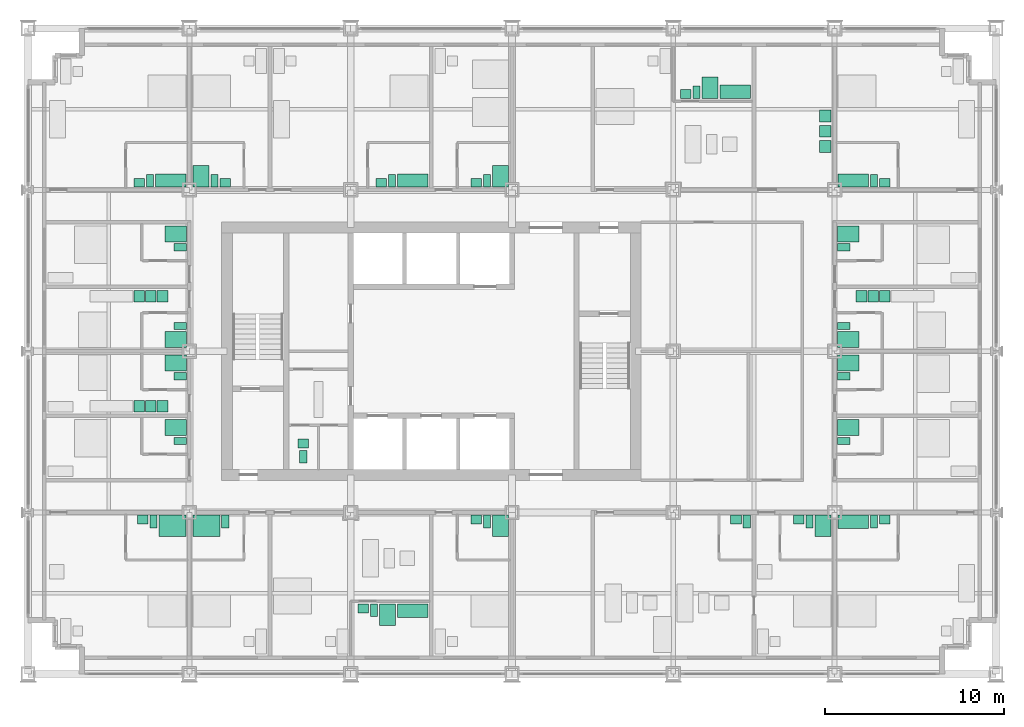
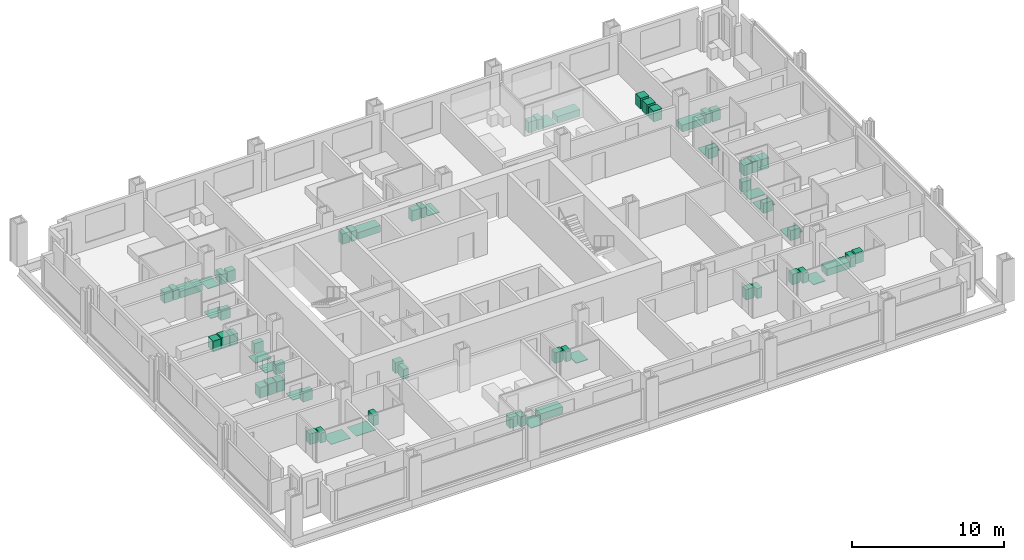
# One storey, part 17 of 18: 57 sanitary terminals, 12 electric appliances.
"""IFC4 building model written with IfcOpenShell, lengths in metres."""

from ifc_helpers import new_model, si_unit, direction, frame, origin, origin_2d, place, context, subcontext, project, spatial, rectangle, extrude, element, save


model = new_model("IFC4")

# Units and contexts
model_context = context("Model", 3, precision=1e-05, world=origin(), true_north=direction((0.0, 1.0)))
body_context = subcontext(model_context, "Body", "Model", "MODEL_VIEW")
ifc_project = project(units=[si_unit("LENGTHUNIT", "METRE"), si_unit("AREAUNIT", "SQUARE_METRE"), si_unit("VOLUMEUNIT", "CUBIC_METRE"), si_unit("PLANEANGLEUNIT", "RADIAN"), si_unit("MASSUNIT", "GRAM", prefix="KILO")], contexts=[model_context])

# Site, building, storey
site_placement = place(None, origin())
site = spatial("IfcSite", under=ifc_project, at=site_placement, CompositionType="ELEMENT")
building_placement = place(site_placement, origin())
building = spatial("IfcBuilding", under=site, at=building_placement, Name="Loomwork Tower", CompositionType="ELEMENT")
storey_placement = place(building_placement, frame((0.0, 0.0, 51.800048828125)))
storey = spatial("IfcBuildingStorey", under=building, at=storey_placement, Name="L12", CompositionType="ELEMENT", Elevation=51.800048828125)

# Sanitary terminals
sanitary_terminal_1_placement = place(storey_placement, frame((8.050048828125, 8.25, 0.0), z_axis=(0.0, 0.0, 1.0), x_axis=(1.0, 0.0, 0.0)))
element("IfcSanitaryTerminal", 1, at=sanitary_terminal_1_placement, inside=storey, Name="Roll-in shower floor L12", PredefinedType="SHOWER", context=body_context, shape_type="SweptSolid", body=[
    extrude(rectangle(XDim=1.5, YDim=1.199951171875, at=origin_2d()), origin(), (0.0, 0.0, 1.0), 0.030029296875),
])
sanitary_terminal_2_placement = place(storey_placement, frame((7.0, 8.5, 0.0), z_axis=(0.0, 0.0, 1.0), x_axis=(1.0, 0.0, 0.0)))
element("IfcSanitaryTerminal", 2, at=sanitary_terminal_2_placement, inside=storey, Name="WC L12", PredefinedType="TOILETPAN", context=body_context, shape_type="SweptSolid", body=[
    extrude(rectangle(XDim=0.39990234375, YDim=0.699951171875, at=origin_2d()), origin(), (0.0, 0.0, 1.0), 0.800048828125),
])
sanitary_terminal_3_placement = place(storey_placement, frame((6.39990234375, 8.60009765625, 0.0), z_axis=(0.0, 0.0, 1.0), x_axis=(1.0, 0.0, 0.0)))
element("IfcSanitaryTerminal", 3, at=sanitary_terminal_3_placement, inside=storey, Name="Basin vanity L12", PredefinedType="WASHHANDBASIN", context=body_context, shape_type="SweptSolid", body=[
    extrude(rectangle(XDim=0.60009765625, YDim=0.5, at=origin_2d()), origin(), (0.0, 0.0, 1.0), 0.85009765625),
])
sanitary_terminal_4_placement = place(storey_placement, frame((9.949951171875, 8.25, 0.0), z_axis=(0.0, 0.0, 1.0), x_axis=(1.0, 0.0, 0.0)))
element("IfcSanitaryTerminal", 4, at=sanitary_terminal_4_placement, inside=storey, Name="Roll-in shower floor L12", PredefinedType="SHOWER", context=body_context, shape_type="SweptSolid", body=[
    extrude(rectangle(XDim=1.5, YDim=1.199951171875, at=origin_2d()), origin(), (0.0, 0.0, 1.0), 0.030029296875),
])
sanitary_terminal_5_placement = place(storey_placement, frame((11.0, 8.5, 0.0), z_axis=(0.0, 0.0, 1.0), x_axis=(1.0, 0.0, 0.0)))
element("IfcSanitaryTerminal", 5, at=sanitary_terminal_5_placement, inside=storey, Name="WC L12", PredefinedType="TOILETPAN", context=body_context, shape_type="SweptSolid", body=[
    extrude(rectangle(XDim=0.39990234375, YDim=0.699951171875, at=origin_2d()), origin(), (0.0, 0.0, 1.0), 0.800048828125),
])
sanitary_terminal_6_placement = place(storey_placement, frame((21.449951171875, 3.52490234375, 0.0), z_axis=(0.0, 0.0, 1.0), x_axis=(1.0, 0.0, 0.0)))
element("IfcSanitaryTerminal", 6, at=sanitary_terminal_6_placement, inside=storey, Name="Bath L12", PredefinedType="BATH", context=body_context, shape_type="SweptSolid", body=[
    extrude(rectangle(XDim=1.699951171875, YDim=0.75, at=origin_2d()), origin(), (0.0, 0.0, 1.0), 0.550048828125),
])
sanitary_terminal_7_placement = place(storey_placement, frame((20.050048828125, 3.300048828125, 0.0), z_axis=(0.0, 0.0, 1.0), x_axis=(1.0, 0.0, 0.0)))
element("IfcSanitaryTerminal", 7, at=sanitary_terminal_7_placement, inside=storey, Name="Shower tray L12", PredefinedType="SHOWER", context=body_context, shape_type="SweptSolid", body=[
    extrude(rectangle(XDim=0.89990234375, YDim=1.199951171875, at=origin_2d()), origin(), (0.0, 0.0, 1.0), 0.050048828125),
])
sanitary_terminal_8_placement = place(storey_placement, frame((19.300048828125, 3.550048828125, 0.0), z_axis=(0.0, 0.0, 1.0), x_axis=(1.0, 0.0, 0.0)))
element("IfcSanitaryTerminal", 8, at=sanitary_terminal_8_placement, inside=storey, Name="WC L12", PredefinedType="TOILETPAN", context=body_context, shape_type="SweptSolid", body=[
    extrude(rectangle(XDim=0.39990234375, YDim=0.699951171875, at=origin_2d()), origin(), (0.0, 0.0, 1.0), 0.800048828125),
])
sanitary_terminal_9_placement = place(storey_placement, frame((18.699951171875, 3.64990234375, 0.0), z_axis=(0.0, 0.0, 1.0), x_axis=(1.0, 0.0, 0.0)))
element("IfcSanitaryTerminal", 9, at=sanitary_terminal_9_placement, inside=storey, Name="Basin vanity L12", PredefinedType="WASHHANDBASIN", context=body_context, shape_type="SweptSolid", body=[
    extrude(rectangle(XDim=0.60009765625, YDim=0.5, at=origin_2d()), origin(), (0.0, 0.0, 1.0), 0.85009765625),
])
sanitary_terminal_10_placement = place(storey_placement, frame((26.35009765625, 8.25, 0.0), z_axis=(0.0, 0.0, 1.0), x_axis=(1.0, 0.0, 0.0)))
element("IfcSanitaryTerminal", 10, at=sanitary_terminal_10_placement, inside=storey, Name="Shower tray L12", PredefinedType="SHOWER", context=body_context, shape_type="SweptSolid", body=[
    extrude(rectangle(XDim=0.89990234375, YDim=1.199951171875, at=origin_2d()), origin(), (0.0, 0.0, 1.0), 0.050048828125),
])
sanitary_terminal_11_placement = place(storey_placement, frame((25.60009765625, 8.5, 0.0), z_axis=(0.0, 0.0, 1.0), x_axis=(1.0, 0.0, 0.0)))
element("IfcSanitaryTerminal", 11, at=sanitary_terminal_11_placement, inside=storey, Name="WC L12", PredefinedType="TOILETPAN", context=body_context, shape_type="SweptSolid", body=[
    extrude(rectangle(XDim=0.39990234375, YDim=0.699951171875, at=origin_2d()), origin(), (0.0, 0.0, 1.0), 0.800048828125),
])
sanitary_terminal_12_placement = place(storey_placement, frame((25.0, 8.60009765625, 0.0), z_axis=(0.0, 0.0, 1.0), x_axis=(1.0, 0.0, 0.0)))
element("IfcSanitaryTerminal", 12, at=sanitary_terminal_12_placement, inside=storey, Name="Basin vanity L12", PredefinedType="WASHHANDBASIN", context=body_context, shape_type="SweptSolid", body=[
    extrude(rectangle(XDim=0.60009765625, YDim=0.5, at=origin_2d()), origin(), (0.0, 0.0, 1.0), 0.85009765625),
])
sanitary_terminal_13_placement = place(storey_placement, frame((40.10009765625, 8.5, 0.0), z_axis=(0.0, 0.0, 1.0), x_axis=(1.0, 0.0, 0.0)))
element("IfcSanitaryTerminal", 13, at=sanitary_terminal_13_placement, inside=storey, Name="WC L12", PredefinedType="TOILETPAN", context=body_context, shape_type="SweptSolid", body=[
    extrude(rectangle(XDim=0.39990234375, YDim=0.699951171875, at=origin_2d()), origin(), (0.0, 0.0, 1.0), 0.800048828125),
])
sanitary_terminal_14_placement = place(storey_placement, frame((39.5, 8.60009765625, 0.0), z_axis=(0.0, 0.0, 1.0), x_axis=(1.0, 0.0, 0.0)))
element("IfcSanitaryTerminal", 14, at=sanitary_terminal_14_placement, inside=storey, Name="Basin vanity L12", PredefinedType="WASHHANDBASIN", context=body_context, shape_type="SweptSolid", body=[
    extrude(rectangle(XDim=0.60009765625, YDim=0.5, at=origin_2d()), origin(), (0.0, 0.0, 1.0), 0.85009765625),
])
sanitary_terminal_15_placement = place(storey_placement, frame((44.35009765625, 8.25, 0.0), z_axis=(0.0, 0.0, 1.0), x_axis=(1.0, 0.0, 0.0)))
element("IfcSanitaryTerminal", 15, at=sanitary_terminal_15_placement, inside=storey, Name="Shower tray L12", PredefinedType="SHOWER", context=body_context, shape_type="SweptSolid", body=[
    extrude(rectangle(XDim=0.89990234375, YDim=1.199951171875, at=origin_2d()), origin(), (0.0, 0.0, 1.0), 0.050048828125),
])
sanitary_terminal_16_placement = place(storey_placement, frame((43.60009765625, 8.5, 0.0), z_axis=(0.0, 0.0, 1.0), x_axis=(1.0, 0.0, 0.0)))
element("IfcSanitaryTerminal", 16, at=sanitary_terminal_16_placement, inside=storey, Name="WC L12", PredefinedType="TOILETPAN", context=body_context, shape_type="SweptSolid", body=[
    extrude(rectangle(XDim=0.39990234375, YDim=0.699951171875, at=origin_2d()), origin(), (0.0, 0.0, 1.0), 0.800048828125),
])
sanitary_terminal_17_placement = place(storey_placement, frame((43.0, 8.60009765625, 0.0), z_axis=(0.0, 0.0, 1.0), x_axis=(1.0, 0.0, 0.0)))
element("IfcSanitaryTerminal", 17, at=sanitary_terminal_17_placement, inside=storey, Name="Basin vanity L12", PredefinedType="WASHHANDBASIN", context=body_context, shape_type="SweptSolid", body=[
    extrude(rectangle(XDim=0.60009765625, YDim=0.5, at=origin_2d()), origin(), (0.0, 0.0, 1.0), 0.85009765625),
])
sanitary_terminal_18_placement = place(storey_placement, frame((46.050048828125, 8.47509765625, 0.0), z_axis=(0.0, 0.0, 1.0), x_axis=(1.0, 0.0, 0.0)))
element("IfcSanitaryTerminal", 18, at=sanitary_terminal_18_placement, inside=storey, Name="Bath L12", PredefinedType="BATH", context=body_context, shape_type="SweptSolid", body=[
    extrude(rectangle(XDim=1.699951171875, YDim=0.75, at=origin_2d()), origin(), (0.0, 0.0, 1.0), 0.550048828125),
])
sanitary_terminal_19_placement = place(storey_placement, frame((47.199951171875, 8.5, 0.0), z_axis=(0.0, 0.0, 1.0), x_axis=(1.0, 0.0, 0.0)))
element("IfcSanitaryTerminal", 19, at=sanitary_terminal_19_placement, inside=storey, Name="WC L12", PredefinedType="TOILETPAN", context=body_context, shape_type="SweptSolid", body=[
    extrude(rectangle(XDim=0.39990234375, YDim=0.699951171875, at=origin_2d()), origin(), (0.0, 0.0, 1.0), 0.800048828125),
])
sanitary_terminal_20_placement = place(storey_placement, frame((47.800048828125, 8.60009765625, 0.0), z_axis=(0.0, 0.0, 1.0), x_axis=(1.0, 0.0, 0.0)))
element("IfcSanitaryTerminal", 20, at=sanitary_terminal_20_placement, inside=storey, Name="Basin vanity L12", PredefinedType="WASHHANDBASIN", context=body_context, shape_type="SweptSolid", body=[
    extrude(rectangle(XDim=0.60009765625, YDim=0.5, at=origin_2d()), origin(), (0.0, 0.0, 1.0), 0.85009765625),
])
sanitary_terminal_21_placement = place(storey_placement, frame((7.949951171875, 27.52490234375, 0.0), z_axis=(0.0, 0.0, 1.0), x_axis=(1.0, 0.0, 0.0)))
element("IfcSanitaryTerminal", 21, at=sanitary_terminal_21_placement, inside=storey, Name="Bath L12", PredefinedType="BATH", context=body_context, shape_type="SweptSolid", body=[
    extrude(rectangle(XDim=1.699951171875, YDim=0.75, at=origin_2d()), origin(), (0.0, 0.0, 1.0), 0.550048828125),
])
sanitary_terminal_22_placement = place(storey_placement, frame((6.800048828125, 27.5, 0.0), z_axis=(0.0, 0.0, 1.0), x_axis=(1.0, 0.0, 0.0)))
element("IfcSanitaryTerminal", 22, at=sanitary_terminal_22_placement, inside=storey, Name="WC L12", PredefinedType="TOILETPAN", context=body_context, shape_type="SweptSolid", body=[
    extrude(rectangle(XDim=0.39990234375, YDim=0.699951171875, at=origin_2d()), origin(), (0.0, 0.0, 1.0), 0.800048828125),
])
sanitary_terminal_23_placement = place(storey_placement, frame((6.199951171875, 27.39990234375, 0.0), z_axis=(0.0, 0.0, 1.0), x_axis=(1.0, 0.0, 0.0)))
element("IfcSanitaryTerminal", 23, at=sanitary_terminal_23_placement, inside=storey, Name="Basin vanity L12", PredefinedType="WASHHANDBASIN", context=body_context, shape_type="SweptSolid", body=[
    extrude(rectangle(XDim=0.60009765625, YDim=0.5, at=origin_2d()), origin(), (0.0, 0.0, 1.0), 0.85009765625),
])
sanitary_terminal_24_placement = place(storey_placement, frame((9.64990234375, 27.75, 0.0), z_axis=(0.0, 0.0, 1.0), x_axis=(1.0, 0.0, 0.0)))
element("IfcSanitaryTerminal", 24, at=sanitary_terminal_24_placement, inside=storey, Name="Shower tray L12", PredefinedType="SHOWER", context=body_context, shape_type="SweptSolid", body=[
    extrude(rectangle(XDim=0.89990234375, YDim=1.199951171875, at=origin_2d()), origin(), (0.0, 0.0, 1.0), 0.050048828125),
])
sanitary_terminal_25_placement = place(storey_placement, frame((10.39990234375, 27.5, 0.0), z_axis=(0.0, 0.0, 1.0), x_axis=(1.0, 0.0, 0.0)))
element("IfcSanitaryTerminal", 25, at=sanitary_terminal_25_placement, inside=storey, Name="WC L12", PredefinedType="TOILETPAN", context=body_context, shape_type="SweptSolid", body=[
    extrude(rectangle(XDim=0.39990234375, YDim=0.699951171875, at=origin_2d()), origin(), (0.0, 0.0, 1.0), 0.800048828125),
])
sanitary_terminal_26_placement = place(storey_placement, frame((11.0, 27.39990234375, 0.0), z_axis=(0.0, 0.0, 1.0), x_axis=(1.0, 0.0, 0.0)))
element("IfcSanitaryTerminal", 26, at=sanitary_terminal_26_placement, inside=storey, Name="Basin vanity L12", PredefinedType="WASHHANDBASIN", context=body_context, shape_type="SweptSolid", body=[
    extrude(rectangle(XDim=0.60009765625, YDim=0.5, at=origin_2d()), origin(), (0.0, 0.0, 1.0), 0.85009765625),
])
sanitary_terminal_27_placement = place(storey_placement, frame((21.449951171875, 27.52490234375, 0.0), z_axis=(0.0, 0.0, 1.0), x_axis=(1.0, 0.0, 0.0)))
element("IfcSanitaryTerminal", 27, at=sanitary_terminal_27_placement, inside=storey, Name="Bath L12", PredefinedType="BATH", context=body_context, shape_type="SweptSolid", body=[
    extrude(rectangle(XDim=1.699951171875, YDim=0.75, at=origin_2d()), origin(), (0.0, 0.0, 1.0), 0.550048828125),
])
sanitary_terminal_28_placement = place(storey_placement, frame((20.300048828125, 27.5, 0.0), z_axis=(0.0, 0.0, 1.0), x_axis=(1.0, 0.0, 0.0)))
element("IfcSanitaryTerminal", 28, at=sanitary_terminal_28_placement, inside=storey, Name="WC L12", PredefinedType="TOILETPAN", context=body_context, shape_type="SweptSolid", body=[
    extrude(rectangle(XDim=0.39990234375, YDim=0.699951171875, at=origin_2d()), origin(), (0.0, 0.0, 1.0), 0.800048828125),
])
sanitary_terminal_29_placement = place(storey_placement, frame((19.699951171875, 27.39990234375, 0.0), z_axis=(0.0, 0.0, 1.0), x_axis=(1.0, 0.0, 0.0)))
element("IfcSanitaryTerminal", 29, at=sanitary_terminal_29_placement, inside=storey, Name="Basin vanity L12", PredefinedType="WASHHANDBASIN", context=body_context, shape_type="SweptSolid", body=[
    extrude(rectangle(XDim=0.60009765625, YDim=0.5, at=origin_2d()), origin(), (0.0, 0.0, 1.0), 0.85009765625),
])
sanitary_terminal_30_placement = place(storey_placement, frame((26.35009765625, 27.75, 0.0), z_axis=(0.0, 0.0, 1.0), x_axis=(1.0, 0.0, 0.0)))
element("IfcSanitaryTerminal", 30, at=sanitary_terminal_30_placement, inside=storey, Name="Shower tray L12", PredefinedType="SHOWER", context=body_context, shape_type="SweptSolid", body=[
    extrude(rectangle(XDim=0.89990234375, YDim=1.199951171875, at=origin_2d()), origin(), (0.0, 0.0, 1.0), 0.050048828125),
])
sanitary_terminal_31_placement = place(storey_placement, frame((25.60009765625, 27.5, 0.0), z_axis=(0.0, 0.0, 1.0), x_axis=(1.0, 0.0, 0.0)))
element("IfcSanitaryTerminal", 31, at=sanitary_terminal_31_placement, inside=storey, Name="WC L12", PredefinedType="TOILETPAN", context=body_context, shape_type="SweptSolid", body=[
    extrude(rectangle(XDim=0.39990234375, YDim=0.699951171875, at=origin_2d()), origin(), (0.0, 0.0, 1.0), 0.800048828125),
])
sanitary_terminal_32_placement = place(storey_placement, frame((25.0, 27.39990234375, 0.0), z_axis=(0.0, 0.0, 1.0), x_axis=(1.0, 0.0, 0.0)))
element("IfcSanitaryTerminal", 32, at=sanitary_terminal_32_placement, inside=storey, Name="Basin vanity L12", PredefinedType="WASHHANDBASIN", context=body_context, shape_type="SweptSolid", body=[
    extrude(rectangle(XDim=0.60009765625, YDim=0.5, at=origin_2d()), origin(), (0.0, 0.0, 1.0), 0.85009765625),
])
sanitary_terminal_33_placement = place(storey_placement, frame((39.449951171875, 32.47509765625, 0.0), z_axis=(0.0, 0.0, 1.0), x_axis=(1.0, 0.0, 0.0)))
element("IfcSanitaryTerminal", 33, at=sanitary_terminal_33_placement, inside=storey, Name="Bath L12", PredefinedType="BATH", context=body_context, shape_type="SweptSolid", body=[
    extrude(rectangle(XDim=1.699951171875, YDim=0.75, at=origin_2d()), origin(), (0.0, 0.0, 1.0), 0.550048828125),
])
sanitary_terminal_34_placement = place(storey_placement, frame((38.050048828125, 32.699951171875, 0.0), z_axis=(0.0, 0.0, 1.0), x_axis=(1.0, 0.0, 0.0)))
element("IfcSanitaryTerminal", 34, at=sanitary_terminal_34_placement, inside=storey, Name="Shower tray L12", PredefinedType="SHOWER", context=body_context, shape_type="SweptSolid", body=[
    extrude(rectangle(XDim=0.89990234375, YDim=1.199951171875, at=origin_2d()), origin(), (0.0, 0.0, 1.0), 0.050048828125),
])
sanitary_terminal_35_placement = place(storey_placement, frame((37.300048828125, 32.449951171875, 0.0), z_axis=(0.0, 0.0, 1.0), x_axis=(1.0, 0.0, 0.0)))
element("IfcSanitaryTerminal", 35, at=sanitary_terminal_35_placement, inside=storey, Name="WC L12", PredefinedType="TOILETPAN", context=body_context, shape_type="SweptSolid", body=[
    extrude(rectangle(XDim=0.39990234375, YDim=0.699951171875, at=origin_2d()), origin(), (0.0, 0.0, 1.0), 0.800048828125),
])
sanitary_terminal_36_placement = place(storey_placement, frame((36.699951171875, 32.35009765625, 0.0), z_axis=(0.0, 0.0, 1.0), x_axis=(1.0, 0.0, 0.0)))
element("IfcSanitaryTerminal", 36, at=sanitary_terminal_36_placement, inside=storey, Name="Basin vanity L12", PredefinedType="WASHHANDBASIN", context=body_context, shape_type="SweptSolid", body=[
    extrude(rectangle(XDim=0.60009765625, YDim=0.5, at=origin_2d()), origin(), (0.0, 0.0, 1.0), 0.85009765625),
])

# Electric appliances
electric_appliance_1_placement = place(storey_placement, frame((44.47509765625, 29.425048828125, 0.0), z_axis=(0.0, 0.0, 1.0), x_axis=(1.0, 0.0, 0.0)))
element("IfcElectricAppliance", 37, at=electric_appliance_1_placement, inside=storey, Name="Washing machine L12", PredefinedType="WASHINGMACHINE", context=body_context, shape_type="SweptSolid", body=[
    extrude(rectangle(XDim=0.64990234375, YDim=0.64990234375, at=origin_2d()), origin(), (0.0, 0.0, 1.0), 0.85009765625),
])
electric_appliance_2_placement = place(storey_placement, frame((44.47509765625, 30.27490234375, 0.0), z_axis=(0.0, 0.0, 1.0), x_axis=(1.0, 0.0, 0.0)))
element("IfcElectricAppliance", 38, at=electric_appliance_2_placement, inside=storey, Name="Tumble dryer L12", PredefinedType="TUMBLEDRYER", context=body_context, shape_type="SweptSolid", body=[
    extrude(rectangle(XDim=0.64990234375, YDim=0.64990234375, at=origin_2d()), origin(), (0.0, 0.0, 1.0), 0.85009765625),
])
electric_appliance_3_placement = place(storey_placement, frame((44.47509765625, 31.125, 0.0), z_axis=(0.0, 0.0, 1.0), x_axis=(1.0, 0.0, 0.0)))
element("IfcElectricAppliance", 39, at=electric_appliance_3_placement, inside=storey, Name="Washing machine L12", PredefinedType="WASHINGMACHINE", context=body_context, shape_type="SweptSolid", body=[
    extrude(rectangle(XDim=0.64990234375, YDim=0.64990234375, at=origin_2d()), origin(), (0.0, 0.0, 1.0), 0.85009765625),
])

# Sanitary terminals
sanitary_terminal_37_placement = place(storey_placement, frame((46.050048828125, 27.52490234375, 0.0), z_axis=(0.0, 0.0, 1.0), x_axis=(1.0, 0.0, 0.0)))
element("IfcSanitaryTerminal", 40, at=sanitary_terminal_37_placement, inside=storey, Name="Bath L12", PredefinedType="BATH", context=body_context, shape_type="SweptSolid", body=[
    extrude(rectangle(XDim=1.699951171875, YDim=0.75, at=origin_2d()), origin(), (0.0, 0.0, 1.0), 0.550048828125),
])
sanitary_terminal_38_placement = place(storey_placement, frame((47.199951171875, 27.5, 0.0), z_axis=(0.0, 0.0, 1.0), x_axis=(1.0, 0.0, 0.0)))
element("IfcSanitaryTerminal", 41, at=sanitary_terminal_38_placement, inside=storey, Name="WC L12", PredefinedType="TOILETPAN", context=body_context, shape_type="SweptSolid", body=[
    extrude(rectangle(XDim=0.39990234375, YDim=0.699951171875, at=origin_2d()), origin(), (0.0, 0.0, 1.0), 0.800048828125),
])
sanitary_terminal_39_placement = place(storey_placement, frame((47.800048828125, 27.39990234375, 0.0), z_axis=(0.0, 0.0, 1.0), x_axis=(1.0, 0.0, 0.0)))
element("IfcSanitaryTerminal", 42, at=sanitary_terminal_39_placement, inside=storey, Name="Basin vanity L12", PredefinedType="WASHHANDBASIN", context=body_context, shape_type="SweptSolid", body=[
    extrude(rectangle(XDim=0.60009765625, YDim=0.5, at=origin_2d()), origin(), (0.0, 0.0, 1.0), 0.85009765625),
])
sanitary_terminal_40_placement = place(storey_placement, frame((8.25, 13.75, 0.0), z_axis=(0.0, 0.0, 1.0), x_axis=(1.0, 0.0, 0.0)))
element("IfcSanitaryTerminal", 43, at=sanitary_terminal_40_placement, inside=storey, Name="Shower tray L12", PredefinedType="SHOWER", context=body_context, shape_type="SweptSolid", body=[
    extrude(rectangle(XDim=1.199951171875, YDim=0.89990234375, at=origin_2d()), origin(), (0.0, 0.0, 1.0), 0.050048828125),
])
sanitary_terminal_41_placement = place(storey_placement, frame((8.5, 13.0, 0.0), z_axis=(0.0, 0.0, 1.0), x_axis=(1.0, 0.0, 0.0)))
element("IfcSanitaryTerminal", 44, at=sanitary_terminal_41_placement, inside=storey, Name="WC L12", PredefinedType="TOILETPAN", context=body_context, shape_type="SweptSolid", body=[
    extrude(rectangle(XDim=0.699951171875, YDim=0.39990234375, at=origin_2d()), origin(), (0.0, 0.0, 1.0), 0.800048828125),
])
sanitary_terminal_42_placement = place(storey_placement, frame((8.25, 17.35009765625, 0.0), z_axis=(0.0, 0.0, 1.0), x_axis=(1.0, 0.0, 0.0)))
element("IfcSanitaryTerminal", 45, at=sanitary_terminal_42_placement, inside=storey, Name="Shower tray L12", PredefinedType="SHOWER", context=body_context, shape_type="SweptSolid", body=[
    extrude(rectangle(XDim=1.199951171875, YDim=0.89990234375, at=origin_2d()), origin(), (0.0, 0.0, 1.0), 0.050048828125),
])
sanitary_terminal_43_placement = place(storey_placement, frame((8.5, 16.60009765625, 0.0), z_axis=(0.0, 0.0, 1.0), x_axis=(1.0, 0.0, 0.0)))
element("IfcSanitaryTerminal", 46, at=sanitary_terminal_43_placement, inside=storey, Name="WC L12", PredefinedType="TOILETPAN", context=body_context, shape_type="SweptSolid", body=[
    extrude(rectangle(XDim=0.699951171875, YDim=0.39990234375, at=origin_2d()), origin(), (0.0, 0.0, 1.0), 0.800048828125),
])

# Electric appliances
electric_appliance_4_placement = place(storey_placement, frame((7.5, 14.925048828125, 0.0), z_axis=(0.0, 0.0, 1.0), x_axis=(1.0, 0.0, 0.0)))
element("IfcElectricAppliance", 47, at=electric_appliance_4_placement, inside=storey, Name="Refrigerator L12", PredefinedType="REFRIGERATOR", context=body_context, shape_type="SweptSolid", body=[
    extrude(rectangle(XDim=0.60009765625, YDim=0.64990234375, at=origin_2d()), origin(), (0.0, 0.0, 1.0), 0.85009765625),
])
electric_appliance_5_placement = place(storey_placement, frame((6.85009765625, 14.925048828125, 0.0), z_axis=(0.0, 0.0, 1.0), x_axis=(1.0, 0.0, 0.0)))
element("IfcElectricAppliance", 48, at=electric_appliance_5_placement, inside=storey, Name="Two-ring cooktop and oven L12", PredefinedType="ELECTRICCOOKER", context=body_context, shape_type="SweptSolid", body=[
    extrude(rectangle(XDim=0.60009765625, YDim=0.64990234375, at=origin_2d()), origin(), (0.0, 0.0, 1.0), 0.89990234375),
])
electric_appliance_6_placement = place(storey_placement, frame((6.199951171875, 14.925048828125, 0.0), z_axis=(0.0, 0.0, 1.0), x_axis=(1.0, 0.0, 0.0)))
element("IfcElectricAppliance", 49, at=electric_appliance_6_placement, inside=storey, Name="Dishwasher L12", PredefinedType="DISHWASHER", context=body_context, shape_type="SweptSolid", body=[
    extrude(rectangle(XDim=0.60009765625, YDim=0.64990234375, at=origin_2d()), origin(), (0.0, 0.0, 1.0), 0.85009765625),
])

# Sanitary terminals
sanitary_terminal_44_placement = place(storey_placement, frame((8.25, 18.64990234375, 0.0), z_axis=(0.0, 0.0, 1.0), x_axis=(1.0, 0.0, 0.0)))
element("IfcSanitaryTerminal", 50, at=sanitary_terminal_44_placement, inside=storey, Name="Shower tray L12", PredefinedType="SHOWER", context=body_context, shape_type="SweptSolid", body=[
    extrude(rectangle(XDim=1.199951171875, YDim=0.89990234375, at=origin_2d()), origin(), (0.0, 0.0, 1.0), 0.050048828125),
])
sanitary_terminal_45_placement = place(storey_placement, frame((8.5, 19.39990234375, 0.0), z_axis=(0.0, 0.0, 1.0), x_axis=(1.0, 0.0, 0.0)))
element("IfcSanitaryTerminal", 51, at=sanitary_terminal_45_placement, inside=storey, Name="WC L12", PredefinedType="TOILETPAN", context=body_context, shape_type="SweptSolid", body=[
    extrude(rectangle(XDim=0.699951171875, YDim=0.39990234375, at=origin_2d()), origin(), (0.0, 0.0, 1.0), 0.800048828125),
])

# Electric appliances
electric_appliance_7_placement = place(storey_placement, frame((7.5, 21.074951171875, 0.0), z_axis=(0.0, 0.0, 1.0), x_axis=(1.0, 0.0, 0.0)))
element("IfcElectricAppliance", 52, at=electric_appliance_7_placement, inside=storey, Name="Refrigerator L12", PredefinedType="REFRIGERATOR", context=body_context, shape_type="SweptSolid", body=[
    extrude(rectangle(XDim=0.60009765625, YDim=0.64990234375, at=origin_2d()), origin(), (0.0, 0.0, 1.0), 0.85009765625),
])
electric_appliance_8_placement = place(storey_placement, frame((6.85009765625, 21.074951171875, 0.0), z_axis=(0.0, 0.0, 1.0), x_axis=(1.0, 0.0, 0.0)))
element("IfcElectricAppliance", 53, at=electric_appliance_8_placement, inside=storey, Name="Two-ring cooktop and oven L12", PredefinedType="ELECTRICCOOKER", context=body_context, shape_type="SweptSolid", body=[
    extrude(rectangle(XDim=0.60009765625, YDim=0.64990234375, at=origin_2d()), origin(), (0.0, 0.0, 1.0), 0.89990234375),
])
electric_appliance_9_placement = place(storey_placement, frame((6.199951171875, 21.074951171875, 0.0), z_axis=(0.0, 0.0, 1.0), x_axis=(1.0, 0.0, 0.0)))
element("IfcElectricAppliance", 54, at=electric_appliance_9_placement, inside=storey, Name="Dishwasher L12", PredefinedType="DISHWASHER", context=body_context, shape_type="SweptSolid", body=[
    extrude(rectangle(XDim=0.60009765625, YDim=0.64990234375, at=origin_2d()), origin(), (0.0, 0.0, 1.0), 0.85009765625),
])

# Sanitary terminals
sanitary_terminal_46_placement = place(storey_placement, frame((8.25, 24.550048828125, 0.0), z_axis=(0.0, 0.0, 1.0), x_axis=(1.0, 0.0, 0.0)))
element("IfcSanitaryTerminal", 55, at=sanitary_terminal_46_placement, inside=storey, Name="Shower tray L12", PredefinedType="SHOWER", context=body_context, shape_type="SweptSolid", body=[
    extrude(rectangle(XDim=1.199951171875, YDim=0.89990234375, at=origin_2d()), origin(), (0.0, 0.0, 1.0), 0.050048828125),
])
sanitary_terminal_47_placement = place(storey_placement, frame((8.5, 23.800048828125, 0.0), z_axis=(0.0, 0.0, 1.0), x_axis=(1.0, 0.0, 0.0)))
element("IfcSanitaryTerminal", 56, at=sanitary_terminal_47_placement, inside=storey, Name="WC L12", PredefinedType="TOILETPAN", context=body_context, shape_type="SweptSolid", body=[
    extrude(rectangle(XDim=0.699951171875, YDim=0.39990234375, at=origin_2d()), origin(), (0.0, 0.0, 1.0), 0.800048828125),
])
sanitary_terminal_48_placement = place(storey_placement, frame((45.75, 13.75, 0.0), z_axis=(0.0, 0.0, 1.0), x_axis=(1.0, 0.0, 0.0)))
element("IfcSanitaryTerminal", 57, at=sanitary_terminal_48_placement, inside=storey, Name="Shower tray L12", PredefinedType="SHOWER", context=body_context, shape_type="SweptSolid", body=[
    extrude(rectangle(XDim=1.199951171875, YDim=0.89990234375, at=origin_2d()), origin(), (0.0, 0.0, 1.0), 0.050048828125),
])
sanitary_terminal_49_placement = place(storey_placement, frame((45.5, 13.0, 0.0), z_axis=(0.0, 0.0, 1.0), x_axis=(1.0, 0.0, 0.0)))
element("IfcSanitaryTerminal", 58, at=sanitary_terminal_49_placement, inside=storey, Name="WC L12", PredefinedType="TOILETPAN", context=body_context, shape_type="SweptSolid", body=[
    extrude(rectangle(XDim=0.699951171875, YDim=0.39990234375, at=origin_2d()), origin(), (0.0, 0.0, 1.0), 0.800048828125),
])
sanitary_terminal_50_placement = place(storey_placement, frame((45.75, 17.35009765625, 0.0), z_axis=(0.0, 0.0, 1.0), x_axis=(1.0, 0.0, 0.0)))
element("IfcSanitaryTerminal", 59, at=sanitary_terminal_50_placement, inside=storey, Name="Shower tray L12", PredefinedType="SHOWER", context=body_context, shape_type="SweptSolid", body=[
    extrude(rectangle(XDim=1.199951171875, YDim=0.89990234375, at=origin_2d()), origin(), (0.0, 0.0, 1.0), 0.050048828125),
])
sanitary_terminal_51_placement = place(storey_placement, frame((45.5, 16.60009765625, 0.0), z_axis=(0.0, 0.0, 1.0), x_axis=(1.0, 0.0, 0.0)))
element("IfcSanitaryTerminal", 60, at=sanitary_terminal_51_placement, inside=storey, Name="WC L12", PredefinedType="TOILETPAN", context=body_context, shape_type="SweptSolid", body=[
    extrude(rectangle(XDim=0.699951171875, YDim=0.39990234375, at=origin_2d()), origin(), (0.0, 0.0, 1.0), 0.800048828125),
])
sanitary_terminal_52_placement = place(storey_placement, frame((45.75, 18.64990234375, 0.0), z_axis=(0.0, 0.0, 1.0), x_axis=(1.0, 0.0, 0.0)))
element("IfcSanitaryTerminal", 61, at=sanitary_terminal_52_placement, inside=storey, Name="Shower tray L12", PredefinedType="SHOWER", context=body_context, shape_type="SweptSolid", body=[
    extrude(rectangle(XDim=1.199951171875, YDim=0.89990234375, at=origin_2d()), origin(), (0.0, 0.0, 1.0), 0.050048828125),
])
sanitary_terminal_53_placement = place(storey_placement, frame((45.5, 19.39990234375, 0.0), z_axis=(0.0, 0.0, 1.0), x_axis=(1.0, 0.0, 0.0)))
element("IfcSanitaryTerminal", 62, at=sanitary_terminal_53_placement, inside=storey, Name="WC L12", PredefinedType="TOILETPAN", context=body_context, shape_type="SweptSolid", body=[
    extrude(rectangle(XDim=0.699951171875, YDim=0.39990234375, at=origin_2d()), origin(), (0.0, 0.0, 1.0), 0.800048828125),
])

# Electric appliances
electric_appliance_10_placement = place(storey_placement, frame((46.5, 21.074951171875, 0.0), z_axis=(0.0, 0.0, 1.0), x_axis=(1.0, 0.0, 0.0)))
element("IfcElectricAppliance", 63, at=electric_appliance_10_placement, inside=storey, Name="Refrigerator L12", PredefinedType="REFRIGERATOR", context=body_context, shape_type="SweptSolid", body=[
    extrude(rectangle(XDim=0.60009765625, YDim=0.64990234375, at=origin_2d()), origin(), (0.0, 0.0, 1.0), 0.85009765625),
])
electric_appliance_11_placement = place(storey_placement, frame((47.14990234375, 21.074951171875, 0.0), z_axis=(0.0, 0.0, 1.0), x_axis=(1.0, 0.0, 0.0)))
element("IfcElectricAppliance", 64, at=electric_appliance_11_placement, inside=storey, Name="Two-ring cooktop and oven L12", PredefinedType="ELECTRICCOOKER", context=body_context, shape_type="SweptSolid", body=[
    extrude(rectangle(XDim=0.60009765625, YDim=0.64990234375, at=origin_2d()), origin(), (0.0, 0.0, 1.0), 0.89990234375),
])
electric_appliance_12_placement = place(storey_placement, frame((47.800048828125, 21.074951171875, 0.0), z_axis=(0.0, 0.0, 1.0), x_axis=(1.0, 0.0, 0.0)))
element("IfcElectricAppliance", 65, at=electric_appliance_12_placement, inside=storey, Name="Dishwasher L12", PredefinedType="DISHWASHER", context=body_context, shape_type="SweptSolid", body=[
    extrude(rectangle(XDim=0.60009765625, YDim=0.64990234375, at=origin_2d()), origin(), (0.0, 0.0, 1.0), 0.85009765625),
])

# Sanitary terminals
sanitary_terminal_54_placement = place(storey_placement, frame((45.75, 24.550048828125, 0.0), z_axis=(0.0, 0.0, 1.0), x_axis=(1.0, 0.0, 0.0)))
element("IfcSanitaryTerminal", 66, at=sanitary_terminal_54_placement, inside=storey, Name="Shower tray L12", PredefinedType="SHOWER", context=body_context, shape_type="SweptSolid", body=[
    extrude(rectangle(XDim=1.199951171875, YDim=0.89990234375, at=origin_2d()), origin(), (0.0, 0.0, 1.0), 0.050048828125),
])
sanitary_terminal_55_placement = place(storey_placement, frame((45.5, 23.800048828125, 0.0), z_axis=(0.0, 0.0, 1.0), x_axis=(1.0, 0.0, 0.0)))
element("IfcSanitaryTerminal", 67, at=sanitary_terminal_55_placement, inside=storey, Name="WC L12", PredefinedType="TOILETPAN", context=body_context, shape_type="SweptSolid", body=[
    extrude(rectangle(XDim=0.699951171875, YDim=0.39990234375, at=origin_2d()), origin(), (0.0, 0.0, 1.0), 0.800048828125),
])
sanitary_terminal_56_placement = place(storey_placement, frame((15.35009765625, 12.10009765625, 0.0), z_axis=(0.0, 0.0, 1.0), x_axis=(1.0, 0.0, 0.0)))
element("IfcSanitaryTerminal", 68, at=sanitary_terminal_56_placement, inside=storey, Name="WC L12", PredefinedType="TOILETPAN", context=body_context, shape_type="SweptSolid", body=[
    extrude(rectangle(XDim=0.39990234375, YDim=0.699951171875, at=origin_2d()), origin(), (0.0, 0.0, 1.0), 0.800048828125),
])
sanitary_terminal_57_placement = place(storey_placement, frame((15.35009765625, 12.85009765625, 0.0), z_axis=(0.0, 0.0, 1.0), x_axis=(1.0, 0.0, 0.0)))
element("IfcSanitaryTerminal", 69, at=sanitary_terminal_57_placement, inside=storey, Name="Basin L12", PredefinedType="WASHHANDBASIN", context=body_context, shape_type="SweptSolid", body=[
    extrude(rectangle(XDim=0.60009765625, YDim=0.5, at=origin_2d()), origin(), (0.0, 0.0, 1.0), 0.85009765625),
])

save(model, "model.ifc")
